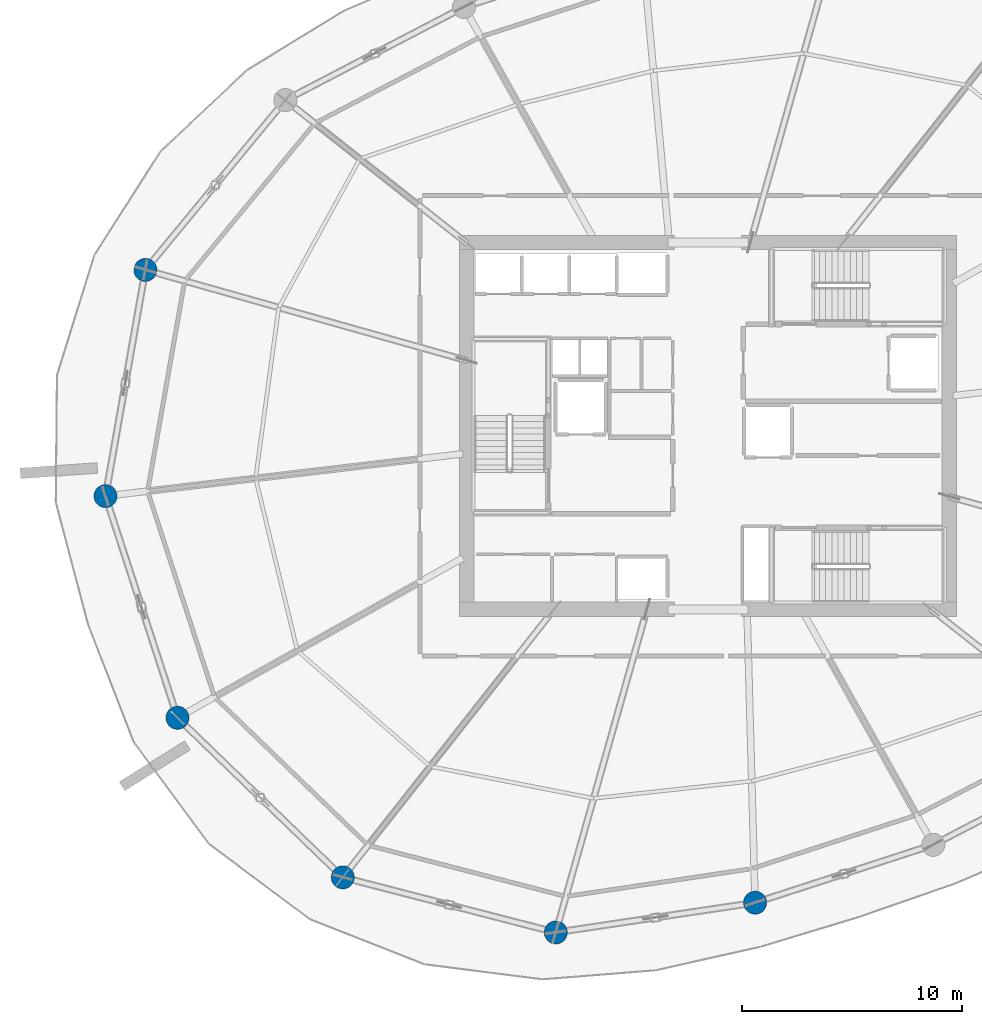
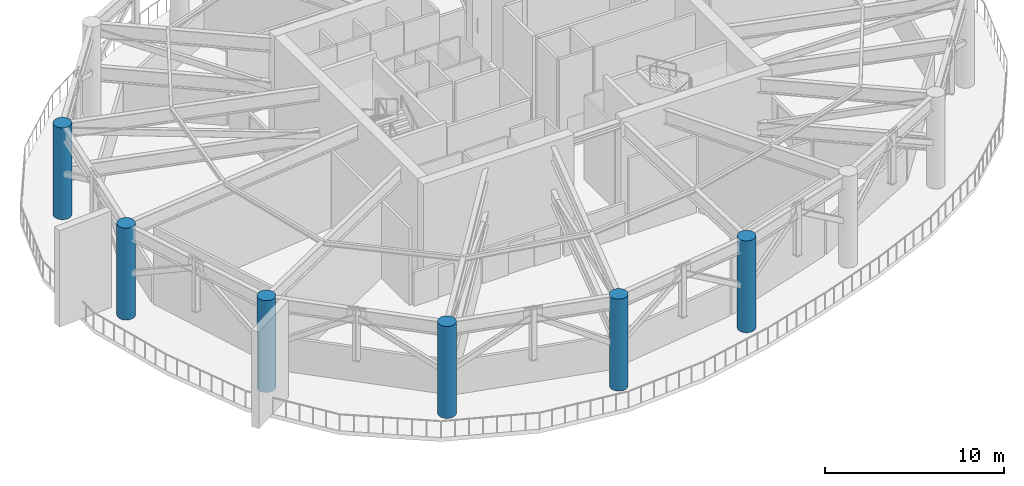
# One storey, part 1 of 20: 6 columns.
"""IFC4 building model written with IfcOpenShell, lengths in metres."""

from ifc_helpers import new_model, si_unit, direction, frame, origin, origin_2d, place, context, subcontext, project, spatial, circle, extrude, material, material_profile, profile_set, type_object, element, save


model = new_model("IFC4")

# Units and contexts
model_context = context("Model", 3, precision=1e-05, world=origin(), true_north=direction((0.0, 1.0)))
body_context = subcontext(model_context, "Body", "Model", "MODEL_VIEW")
ifc_project = project(units=[si_unit("LENGTHUNIT", "METRE"), si_unit("AREAUNIT", "SQUARE_METRE"), si_unit("VOLUMEUNIT", "CUBIC_METRE"), si_unit("PLANEANGLEUNIT", "RADIAN"), si_unit("MASSUNIT", "GRAM", prefix="KILO")], contexts=[model_context])

# Site, building, storey
site_placement = place(None, origin())
site = spatial("IfcSite", under=ifc_project, at=site_placement, CompositionType="ELEMENT")
building_placement = place(site_placement, origin())
building = spatial("IfcBuilding", under=site, at=building_placement, Name="Kazma Halo Residences", CompositionType="ELEMENT")
storey_placement = place(building_placement, frame((0.0, 0.0, 225.300048828125)))
storey = spatial("IfcBuildingStorey", under=building, at=storey_placement, Name="L57", CompositionType="ELEMENT", Elevation=225.300048828125)

# Columns
ifc_material = material(Name="Concrete C80/95", Category="concrete")
ifc_material_profile = material_profile(ifc_material, circle(Radius=0.52490234375, at=origin_2d()), Name="CIRC1050")
ifc_profile_set = profile_set([ifc_material_profile], Name="Concrete C80/95")
column_type = type_object("IfcColumnType", Name="COL-PERIM-1050", PredefinedType="COLUMN", material=ifc_profile_set)
for number, where, z_axis, x_axis, name in (
    (1, (22.89453125, 49.080322265625, 0.0), (0.0, 0.0, 1.0), (1.0, 0.0, 0.0), "L57 perimeter ring column P07"),
    (2, (21.08447265625, 38.814208984375, 0.0), (0.0, 0.0, 1.0), (1.0, 0.0, 0.0), "L57 perimeter ring column P08"),
    (3, (24.352294921875, 28.756591796875, 0.0), (0.0, 0.0, 1.0), (1.0, 0.0, 0.0), "L57 perimeter ring column P09"),
    (4, (31.85107421875, 21.51513671875, 0.0), (0.0, 0.0, 1.0), (1.0, 0.0, 0.0), "L57 perimeter ring column P10"),
    (5, (41.517333984375, 19.014404296875, 0.0), (0.0, 0.0, 1.0), (1.0, 0.0, 0.0), "L57 perimeter ring column P11"),
    (6, (50.560791015625, 20.36474609375, 0.0), (0.0, 0.0, 1.0), (1.0, 0.0, 0.0), "L57 perimeter ring column P12"),
):
    element("IfcColumn", number, at=place(storey_placement, frame(where, z_axis=z_axis, x_axis=x_axis)), inside=storey, type_object=column_type, Name=name, PredefinedType="COLUMN", context=body_context, shape_type="SweptSolid", body=[
        extrude(circle(Radius=0.52490234375, at=origin_2d()), origin(), (0.0, 0.0, 1.0), 6.280029296875),
    ])

save(model, "model.ifc")
